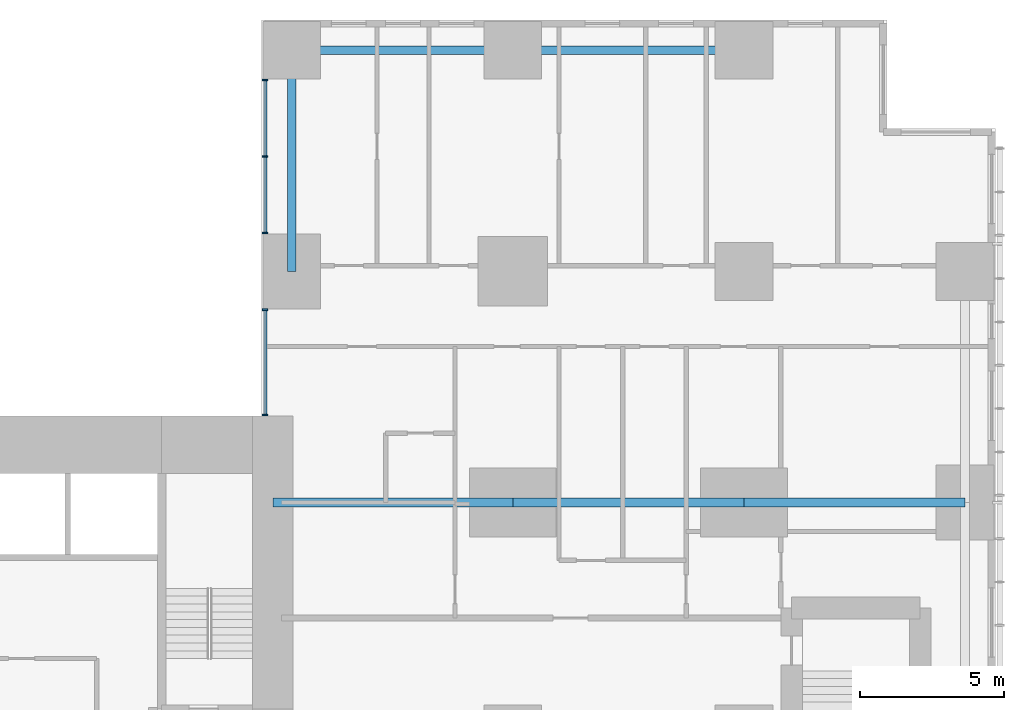
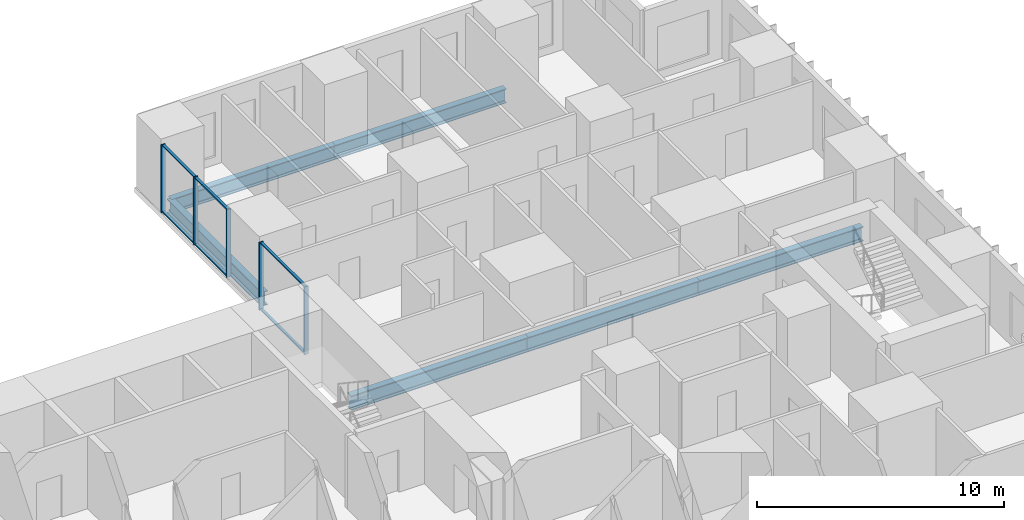
# One storey, part 5 of 20: 11 members, 6 beams, 2 elements without a shape of their own.
"""IFC4 building model written with IfcOpenShell, lengths in metres."""

from ifc_helpers import new_model, si_unit, direction, frame, origin, origin_2d, place, context, subcontext, project, spatial, rectangle, i_section, extrude, material, layer, layer_set, material_profile, profile_set, type_object, element, aggregate, save


model = new_model("IFC4")

# Units and contexts
model_context = context("Model", 3, precision=1e-05, world=origin(), true_north=direction((0.0, 1.0)))
body_context = subcontext(model_context, "Body", "Model", "MODEL_VIEW")
ifc_project = project(units=[si_unit("LENGTHUNIT", "METRE"), si_unit("AREAUNIT", "SQUARE_METRE"), si_unit("VOLUMEUNIT", "CUBIC_METRE"), si_unit("PLANEANGLEUNIT", "RADIAN"), si_unit("MASSUNIT", "GRAM", prefix="KILO")], contexts=[model_context])

# Site, building, storey
site_placement = place(None, origin())
site = spatial("IfcSite", under=ifc_project, at=site_placement, CompositionType="ELEMENT")
building_placement = place(site_placement, origin())
building = spatial("IfcBuilding", under=site, at=building_placement, Name="Cleftline Residences", CompositionType="ELEMENT")
storey_placement = place(building_placement, frame((0.0, 0.0, 157.39990234375)))
storey = spatial("IfcBuildingStorey", under=building, at=storey_placement, Name="L41", CompositionType="ELEMENT", Elevation=157.39990234375)

# Beams
ifc_material_1 = material(Name="Steel S355", Category="steel")
ifc_material_profile_1 = material_profile(ifc_material_1, i_section(OverallWidth=0.300048828125, OverallDepth=0.699951171875, WebThickness=0.01708984375, FlangeThickness=0.031982421875, FilletRadius=0.027099609375, at=origin_2d()))
ifc_profile_set_1 = profile_set([ifc_material_profile_1], Name="Steel S355")
beam_type_1 = type_object("IfcBeamType", Name="BEAM HEB 700", PredefinedType="BEAM", material=ifc_profile_set_1)
beam_1_placement = place(storey_placement, frame((58.0, 47.64990234375, -0.599853515625), z_axis=(-1.0, 0.0, 0.0), x_axis=(0.0, -1.0, 0.0)))
element("IfcBeam", 1, at=beam_1_placement, inside=storey, type_object=beam_type_1, Name="Edge beam", PredefinedType="BEAM", context=body_context, shape_type="SweptSolid", body=[
    extrude(i_section(OverallWidth=0.300048828125, OverallDepth=0.699951171875, WebThickness=0.01708984375, FlangeThickness=0.031982421875, FilletRadius=0.027099609375, at=origin_2d()), origin(), (0.0, 0.0, 1.0), 8.0),
])
for number, where, z_axis, x_axis, name in (
    (2, (50.0, 47.64990234375, -0.599853515625), (-1.0, 0.0, 0.0), (0.0, -1.0, 0.0), "Edge beam"),
    (3, (42.35009765625, 47.64990234375, -0.599853515625), (0.0, -1.0, 0.0), (1.0, 0.0, 0.0), "Edge beam"),
):
    element("IfcBeam", number, at=place(storey_placement, frame(where, z_axis=z_axis, x_axis=x_axis)), inside=storey, type_object=beam_type_1, Name=name, PredefinedType="BEAM", context=body_context, shape_type="SweptSolid", body=[
        extrude(i_section(OverallWidth=0.300048828125, OverallDepth=0.699951171875, WebThickness=0.01708984375, FlangeThickness=0.031982421875, FilletRadius=0.027099609375, at=origin_2d()), origin(), (0.0, 0.0, 1.0), 7.64990234375),
    ])
ifc_material_2 = material(Name="Steel S355", Category="steel")
ifc_material_profile_2 = material_profile(ifc_material_2, i_section(OverallWidth=0.303955078125, OverallDepth=0.716064453125, WebThickness=0.02099609375, FlangeThickness=0.0400390625, FilletRadius=0.027099609375, at=origin_2d()))
ifc_profile_set_2 = profile_set([ifc_material_profile_2], Name="Steel S355")
beam_type_2 = type_object("IfcBeamType", Name="BEAM HEM 700", PredefinedType="BEAM", material=ifc_profile_set_2)
beam_2_placement = place(storey_placement, frame((65.64990234375, 32.0, -0.60791015625), z_axis=(-1.0, 0.0, 0.0), x_axis=(0.0, -1.0, 0.0)))
element("IfcBeam", 4, at=beam_2_placement, inside=storey, type_object=beam_type_2, Name="Band beam", PredefinedType="BEAM", context=body_context, shape_type="SweptSolid", body=[
    extrude(i_section(OverallWidth=0.303955078125, OverallDepth=0.716064453125, WebThickness=0.02099609375, FlangeThickness=0.0400390625, FilletRadius=0.027099609375, at=origin_2d()), origin(), (0.0, 0.0, 1.0), 7.64990234375),
])
beam_3_placement = place(storey_placement, frame((58.0, 32.0, -0.60791015625), z_axis=(-1.0, 0.0, 0.0), x_axis=(0.0, -1.0, 0.0)))
element("IfcBeam", 5, at=beam_3_placement, inside=storey, type_object=beam_type_2, Name="Band beam", PredefinedType="BEAM", context=body_context, shape_type="SweptSolid", body=[
    extrude(i_section(OverallWidth=0.303955078125, OverallDepth=0.716064453125, WebThickness=0.02099609375, FlangeThickness=0.0400390625, FilletRadius=0.027099609375, at=origin_2d()), origin(), (0.0, 0.0, 1.0), 8.0),
])
beam_4_placement = place(storey_placement, frame((50.0, 32.0, -0.60791015625), z_axis=(-1.0, 0.0, 0.0), x_axis=(0.0, -1.0, 0.0)))
element("IfcBeam", 6, at=beam_4_placement, inside=storey, type_object=beam_type_2, Name="Band beam", PredefinedType="BEAM", context=body_context, shape_type="SweptSolid", body=[
    extrude(i_section(OverallWidth=0.303955078125, OverallDepth=0.716064453125, WebThickness=0.02099609375, FlangeThickness=0.0400390625, FilletRadius=0.027099609375, at=origin_2d()), origin(), (0.0, 0.0, 1.0), 8.300048828125),
])

# Curtain wall, members
ifc_material_3 = material(Name="Aluminium framed curtain wall", Category="aluminium")
ifc_layer = layer(ifc_material_3, 0.199951171875)
ifc_layer_set = layer_set([ifc_layer], Name="CW1 CLEFT GLAZING")
curtain_wall_type = type_object("IfcCurtainWallType", Name="CW1 CLEFT GLAZING", PredefinedType="NOTDEFINED", material=ifc_layer_set)
curtain_wall_1_placement = place(storey_placement, origin())
curtain_wall_1 = element("IfcCurtainWall", 7, at=curtain_wall_1_placement, inside=storey, type_object=curtain_wall_type, Name="Curtain wall CW1", PredefinedType="NOTDEFINED")
ifc_material_4 = material(Name="Aluminium mullion", Category="aluminium")
ifc_material_profile_3 = material_profile(ifc_material_4, rectangle(XDim=0.199951171875, YDim=0.06005859375, at=origin_2d()))
ifc_profile_set_3 = profile_set([ifc_material_profile_3], Name="Aluminium mullion")
member_type_1 = type_object("IfcMemberType", Name="CW1 MULLION", PredefinedType="MULLION", material=ifc_profile_set_3)
member_1_placement = place(storey_placement, frame((41.425048828125, 46.6201171875, 0.0), z_axis=(0.0, 0.0, 1.0), x_axis=(1.0, 0.0, 0.0)))
member_1 = element("IfcMember", 8, at=member_1_placement, type_object=member_type_1, Name="CW1 mullion 1", PredefinedType="MULLION", context=body_context, shape_type="SweptSolid", body=[
    extrude(rectangle(XDim=0.199951171875, YDim=0.06005859375, at=origin_2d()), origin(), (0.0, 0.0, 1.0), 3.35009765625),
])
member_2_placement = place(storey_placement, frame((41.425048828125, 43.97509765625, 0.0), z_axis=(0.0, 0.0, 1.0), x_axis=(1.0, 0.0, 0.0)))
member_2 = element("IfcMember", 9, at=member_2_placement, type_object=member_type_1, Name="CW1 mullion 2", PredefinedType="MULLION", context=body_context, shape_type="SweptSolid", body=[
    extrude(rectangle(XDim=0.199951171875, YDim=0.06005859375, at=origin_2d()), origin(), (0.0, 0.0, 1.0), 3.35009765625),
])
member_3_placement = place(storey_placement, frame((41.425048828125, 41.330078125, 0.0), z_axis=(0.0, 0.0, 1.0), x_axis=(1.0, 0.0, 0.0)))
member_3 = element("IfcMember", 10, at=member_3_placement, type_object=member_type_1, Name="CW1 mullion 3", PredefinedType="MULLION", context=body_context, shape_type="SweptSolid", body=[
    extrude(rectangle(XDim=0.199951171875, YDim=0.06005859375, at=origin_2d()), origin(), (0.0, 0.0, 1.0), 3.35009765625),
])

curtain_wall_2_placement = place(storey_placement, origin())
curtain_wall_2 = element("IfcCurtainWall", 11, at=curtain_wall_2_placement, inside=storey, type_object=curtain_wall_type, Name="Curtain wall CW1", PredefinedType="NOTDEFINED")
member_4_placement = place(storey_placement, frame((41.425048828125, 38.669921875, 0.0), z_axis=(0.0, 0.0, 1.0), x_axis=(1.0, 0.0, 0.0)))
member_4 = element("IfcMember", 12, at=member_4_placement, type_object=member_type_1, Name="CW1 mullion 1", PredefinedType="MULLION", context=body_context, shape_type="SweptSolid", body=[
    extrude(rectangle(XDim=0.199951171875, YDim=0.06005859375, at=origin_2d()), origin(), (0.0, 0.0, 1.0), 3.35009765625),
])
member_5_placement = place(storey_placement, frame((41.425048828125, 35.030029296875, 0.0), z_axis=(0.0, 0.0, 1.0), x_axis=(1.0, 0.0, 0.0)))
member_5 = element("IfcMember", 13, at=member_5_placement, type_object=member_type_1, Name="CW1 mullion 2", PredefinedType="MULLION", context=body_context, shape_type="SweptSolid", body=[
    extrude(rectangle(XDim=0.199951171875, YDim=0.06005859375, at=origin_2d()), origin(), (0.0, 0.0, 1.0), 3.35009765625),
])

# Member
ifc_material_5 = material(Name="Aluminium transom", Category="aluminium")
ifc_material_profile_4 = material_profile(ifc_material_5, rectangle(XDim=0.1201171875, YDim=0.06005859375, at=origin_2d()))
ifc_profile_set_4 = profile_set([ifc_material_profile_4], Name="Aluminium transom")
member_type_2 = type_object("IfcMemberType", Name="CW1 TRANSOM", PredefinedType="USERDEFINED", material=ifc_profile_set_4)
member_6_placement = place(storey_placement, frame((41.425048828125, 46.590087890625, 0.030029296875), z_axis=(0.0, -1.0, 0.0), x_axis=(1.0, 0.0, 0.0)))
member_6 = element("IfcMember", 14, at=member_6_placement, type_object=member_type_2, Name="CW1 transom 1.1", ObjectType="TRANSOM", PredefinedType="USERDEFINED", context=body_context, shape_type="SweptSolid", body=[
    extrude(rectangle(XDim=0.1201171875, YDim=0.06005859375, at=origin_2d()), origin(), (0.0, 0.0, 1.0), 2.585205078125),
])

member_7_placement = place(storey_placement, frame((41.425048828125, 46.590087890625, 3.320068359375), z_axis=(0.0, -1.0, 0.0), x_axis=(1.0, 0.0, 0.0)))
member_7 = element("IfcMember", 15, at=member_7_placement, type_object=member_type_2, Name="CW1 transom 1.2", ObjectType="TRANSOM", PredefinedType="USERDEFINED", context=body_context, shape_type="SweptSolid", body=[
    extrude(rectangle(XDim=0.1201171875, YDim=0.06005859375, at=origin_2d()), origin(), (0.0, 0.0, 1.0), 2.585205078125),
])

member_8_placement = place(storey_placement, frame((41.425048828125, 43.945068359375, 0.030029296875), z_axis=(0.0, -1.0, 0.0), x_axis=(1.0, 0.0, 0.0)))
member_8 = element("IfcMember", 16, at=member_8_placement, type_object=member_type_2, Name="CW1 transom 2.1", ObjectType="TRANSOM", PredefinedType="USERDEFINED", context=body_context, shape_type="SweptSolid", body=[
    extrude(rectangle(XDim=0.1201171875, YDim=0.06005859375, at=origin_2d()), origin(), (0.0, 0.0, 1.0), 2.5849609375),
])

member_9_placement = place(storey_placement, frame((41.425048828125, 43.945068359375, 3.320068359375), z_axis=(0.0, -1.0, 0.0), x_axis=(1.0, 0.0, 0.0)))
member_9 = element("IfcMember", 17, at=member_9_placement, type_object=member_type_2, Name="CW1 transom 2.2", ObjectType="TRANSOM", PredefinedType="USERDEFINED", context=body_context, shape_type="SweptSolid", body=[
    extrude(rectangle(XDim=0.1201171875, YDim=0.06005859375, at=origin_2d()), origin(), (0.0, 0.0, 1.0), 2.5849609375),
])

aggregate(curtain_wall_1, [member_1, member_2, member_3, member_6, member_7, member_8, member_9])

member_10_placement = place(storey_placement, frame((41.425048828125, 38.639892578125, 0.030029296875), z_axis=(0.0, -1.0, 0.0), x_axis=(1.0, 0.0, 0.0)))
member_10 = element("IfcMember", 18, at=member_10_placement, type_object=member_type_2, Name="CW1 transom 1.1", ObjectType="TRANSOM", PredefinedType="USERDEFINED", context=body_context, shape_type="SweptSolid", body=[
    extrude(rectangle(XDim=0.1201171875, YDim=0.06005859375, at=origin_2d()), origin(), (0.0, 0.0, 1.0), 3.579833984375),
])

member_11_placement = place(storey_placement, frame((41.425048828125, 38.639892578125, 3.320068359375), z_axis=(0.0, -1.0, 0.0), x_axis=(1.0, 0.0, 0.0)))
member_11 = element("IfcMember", 19, at=member_11_placement, type_object=member_type_2, Name="CW1 transom 1.2", ObjectType="TRANSOM", PredefinedType="USERDEFINED", context=body_context, shape_type="SweptSolid", body=[
    extrude(rectangle(XDim=0.1201171875, YDim=0.06005859375, at=origin_2d()), origin(), (0.0, 0.0, 1.0), 3.579833984375),
])

aggregate(curtain_wall_2, [member_4, member_5, member_10, member_11])

save(model, "model.ifc")
